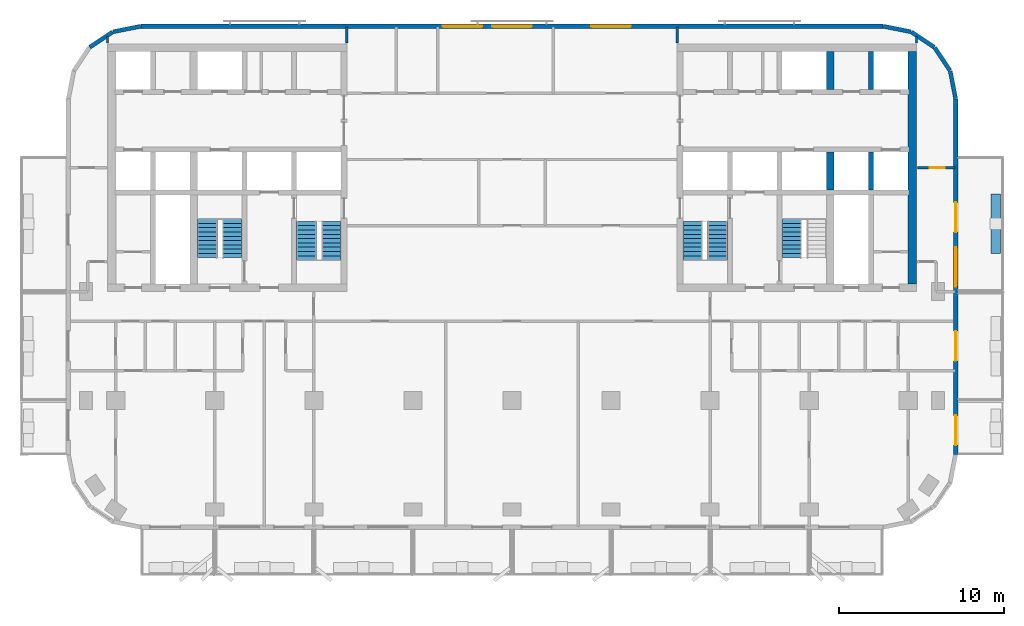
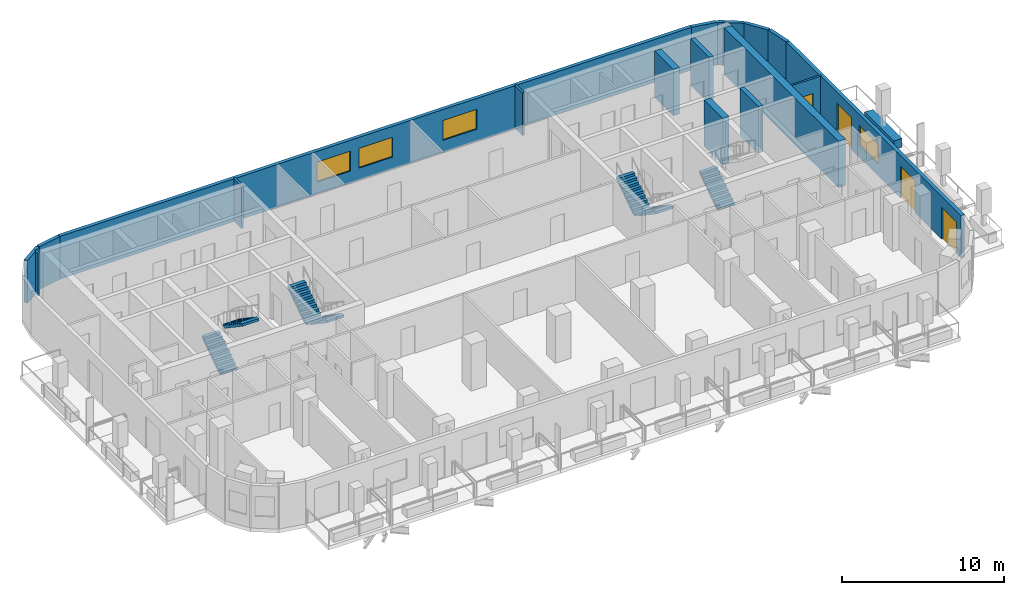
# One storey, part 7 of 11: 19 walls, 7 stair flights, 4 doors, 4 windows, 8 openings, 4 elements without a shape of their own.
"""IFC4 building model written with IfcOpenShell, lengths in metres."""

from ifc_helpers import new_model, si_unit, direction, frame, frame_2d, origin, place, context, subcontext, project, spatial, polyline, rectangle, outline, extrude, material, layer, layer_set, type_object, element, fill, aggregate, save


model = new_model("IFC4")

# Units and contexts
model_context = context("Model", 3, precision=1e-05, world=origin(), true_north=direction((0.0, 1.0)))
body_context = subcontext(model_context, "Body", "Model", "MODEL_VIEW")
ifc_project = project(units=[si_unit("LENGTHUNIT", "METRE"), si_unit("AREAUNIT", "SQUARE_METRE"), si_unit("VOLUMEUNIT", "CUBIC_METRE"), si_unit("PLANEANGLEUNIT", "RADIAN"), si_unit("MASSUNIT", "GRAM", prefix="KILO")], contexts=[model_context])

# Site, building, storey
site_placement = place(None, origin())
site = spatial("IfcSite", under=ifc_project, at=site_placement, CompositionType="ELEMENT")
building_placement = place(site_placement, origin())
building = spatial("IfcBuilding", under=site, at=building_placement, Name="Torana Hotel and Residences", CompositionType="ELEMENT")
storey_placement = place(building_placement, frame((0.0, 0.0, 183.60009765625)))
storey = spatial("IfcBuildingStorey", under=building, at=storey_placement, Name="L47", CompositionType="ELEMENT", Elevation=183.60009765625)

# Walls
ifc_material_1 = material(Name="Concrete C70/85", Category="concrete")
ifc_layer_1 = layer(ifc_material_1, 0.300048828125)
ifc_layer_set_1 = layer_set([ifc_layer_1], Name="CORE WALL 300 C70/85")
wall_type_1 = type_object("IfcWallType", Name="CORE WALL 300 C70/85", PredefinedType="SHEAR", material=ifc_layer_set_1)
for number, where, z_axis, x_axis, name in (
    (1, (21.75, -2.75, 0.0), (0.0, 0.0, 1.0), (0.0, 1.0, 0.0), "Core wall E mm-N"),
    (2, (21.75, -8.85009765625, 0.0), (0.0, 0.0, 1.0), (0.0, 1.0, 0.0), "Core wall E mm-S"),
):
    element("IfcWall", number, at=place(storey_placement, frame(where, z_axis=z_axis, x_axis=x_axis)), inside=storey, type_object=wall_type_1, Name=name, PredefinedType="SHEAR", context=body_context, shape_type="SweptSolid", body=[
        extrude(rectangle(XDim=2.300048828125, YDim=0.300048828125, at=frame_2d((1.14990234375, 0.0))), origin(), (0.0, 0.0, 1.0), 3.5),
    ])
ifc_material_2 = material(Name="Concrete C70/85", Category="concrete")
ifc_layer_2 = layer(ifc_material_2, 0.449951171875)
ifc_layer_set_2 = layer_set([ifc_layer_2], Name="CORE WALL 450 C70/85")
wall_type_2 = type_object("IfcWallType", Name="CORE WALL 450 C70/85", PredefinedType="SHEAR", material=ifc_layer_set_2)
for number, where, z_axis, x_axis, name in (
    (3, (19.27490234375, -2.75, 0.0), (0.0, 0.0, 1.0), (0.0, 1.0, 0.0), "Core wall E hm-N"),
    (4, (19.27490234375, -8.85009765625, 0.0), (0.0, 0.0, 1.0), (0.0, 1.0, 0.0), "Core wall E hm-S"),
):
    element("IfcWall", number, at=place(storey_placement, frame(where, z_axis=z_axis, x_axis=x_axis)), inside=storey, type_object=wall_type_2, Name=name, PredefinedType="SHEAR", context=body_context, shape_type="SweptSolid", body=[
        extrude(rectangle(XDim=2.300048828125, YDim=0.449951171875, at=frame_2d((1.14990234375, 0.0))), origin(), (0.0, 0.0, 1.0), 3.5),
    ])
ifc_material_3 = material(Name="Concrete C70/85", Category="concrete")
ifc_layer_3 = layer(ifc_material_3, 0.5)
ifc_layer_set_3 = layer_set([ifc_layer_3], Name="CORE WALL 500 C70/85")
wall_type_3 = type_object("IfcWallType", Name="CORE WALL 500 C70/85", PredefinedType="SHEAR", material=ifc_layer_set_3)
wall_1_placement = place(storey_placement, frame((24.25, -14.550048828125, 0.0), z_axis=(0.0, 0.0, 1.0), x_axis=(0.0, 1.0, 0.0)))
element("IfcWall", 5, at=wall_1_placement, inside=storey, type_object=wall_type_3, Name="Core wall E outer", PredefinedType="SHEAR", context=body_context, shape_type="SweptSolid", body=[
    extrude(rectangle(XDim=14.10009765625, YDim=0.5, at=frame_2d((7.050048828125, 0.0))), origin(), (0.0, 0.0, 1.0), 3.5),
])
ifc_material_4 = material(Name="Black aluminium composite panel", Category="aluminium")
ifc_layer_4 = layer(ifc_material_4, 0.00390625, Name="Cladding", Category="cladding")
ifc_material_5 = material(Name="Ventilated air cavity")
ifc_layer_5 = layer(ifc_material_5, 0.0400390625, Name="Ventilated cavity", Category="cavity")
ifc_material_6 = material(Name="Mineral wool insulation")
ifc_layer_6 = layer(ifc_material_6, 0.090087890625, Name="Insulation", Category="insulation")
ifc_material_7 = material(Name="Steel S280GD", Category="steel")
ifc_layer_7 = layer(ifc_material_7, 0.092041015625, Name="Steel stud frame", Category="structure")
ifc_material_8 = material(Name="Fire rated plasterboard")
ifc_layer_8 = layer(ifc_material_8, 0.011962890625, Name="Inner board", Category="finish")
ifc_layer_9 = layer(ifc_material_8, 0.011962890625, Name="Second board", Category="finish")
ifc_layer_set_4 = layer_set([ifc_layer_4, ifc_layer_5, ifc_layer_6, ifc_layer_7, ifc_layer_8, ifc_layer_9], Name="EW1 EXTERNAL WALL BLACK METAL CLAD 250")
wall_type_4 = type_object("IfcWallType", Name="EW1 EXTERNAL WALL BLACK METAL CLAD 250", PredefinedType="SOLIDWALL", material=ifc_layer_set_4)
wall_2_placement = place(storey_placement, frame((26.87255859375, -3.30029296875, 0.0), z_axis=(0.0, 0.0, 1.0), x_axis=(-0.194999110559, 0.980803419081, 0.0)))
element("IfcWall", 6, at=wall_2_placement, inside=storey, type_object=wall_type_4, Name="External wall L47 e0.0", PredefinedType="SOLIDWALL", context=body_context, shape_type="SweptSolid", body=[
    extrude(rectangle(XDim=1.681396484375, YDim=0.25, at=frame_2d((0.8408203125, 0.0))), origin(), (0.0, 0.0, 1.0), 3.219970703125),
])
for number, where, z_axis, x_axis, name in (
    (7, (26.52587890625, -1.60595703125, 0.0), (0.0, 0.0, 1.0), (-0.55555029066, 0.831482937015, 0.0), "External wall L47 e0.1"),
    (8, (25.5712890625, -0.1943359375, 0.0), (0.0, 0.0, 1.0), (-0.831482937015, 0.55555029066, 0.0), "External wall L47 e0.2"),
):
    element("IfcWall", number, at=place(storey_placement, frame(where, z_axis=z_axis, x_axis=x_axis)), inside=storey, type_object=wall_type_4, Name=name, PredefinedType="SOLIDWALL", context=body_context, shape_type="SweptSolid", body=[
        extrude(rectangle(XDim=1.65625, YDim=0.25, at=frame_2d((0.828125, 0.0))), origin(), (0.0, 0.0, 1.0), 3.219970703125),
    ])
for number, where, z_axis, x_axis, name in (
    (9, (24.14892578125, 0.74462890625, 0.0), (0.0, 0.0, 1.0), (-0.980803419081, 0.194999110559, 0.0), "External wall L47 e0.3"),
    (10, (-22.499755859375, 1.072509765625, 0.0), (0.0, 0.0, 1.0), (-0.980803419081, -0.194999110559, 0.0), "External wall L47 e0.5"),
):
    element("IfcWall", number, at=place(storey_placement, frame(where, z_axis=z_axis, x_axis=x_axis)), inside=storey, type_object=wall_type_4, Name=name, PredefinedType="SOLIDWALL", context=body_context, shape_type="SweptSolid", body=[
        extrude(rectangle(XDim=1.681396484375, YDim=0.25, at=frame_2d((0.8408203125, 0.0))), origin(), (0.0, 0.0, 1.0), 3.219970703125),
    ])
wall_3_placement = place(storey_placement, frame((-24.194091796875, 0.725830078125, 0.0), z_axis=(0.0, 0.0, 1.0), x_axis=(-0.831482937015, -0.55555029066, 0.0)))
element("IfcWall", 11, at=wall_3_placement, inside=storey, type_object=wall_type_4, Name="External wall L47 e0.6", PredefinedType="SOLIDWALL", context=body_context, shape_type="SweptSolid", body=[
    extrude(rectangle(XDim=1.65625, YDim=0.25, at=frame_2d((0.828125, 0.0))), origin(), (0.0, 0.0, 1.0), 3.219970703125),
])

# Wall, openings, doors, window
wall_4_placement = place(storey_placement, frame((26.875, -24.87548828125, 0.0), z_axis=(0.0, 0.0, 1.0), x_axis=(0.0, 1.0, 0.0)))
wall_4 = element("IfcWall", 12, at=wall_4_placement, inside=storey, type_object=wall_type_4, Name="External wall L47 e0.19", PredefinedType="SOLIDWALL", context=body_context, shape_type="SweptSolid", body=[
    extrude(rectangle(XDim=21.55078125, YDim=0.25, at=frame_2d((10.775390625, 0.0))), origin(), (0.0, 0.0, 1.0), 3.219970703125),
])
opening_1_placement = place(wall_4_placement, frame((0.575439453125, 0.0, 0.0)))
opening_1 = element("IfcOpeningElement", 13, at=opening_1_placement, cuts=wall_4, Name="Opening L47-E09", PredefinedType="OPENING", context=body_context, shape_type="SweptSolid", body=[
    extrude(rectangle(XDim=1.800048828125, YDim=2.39990234375, at=frame_2d((0.89990234375, 1.199951171875))), frame((0.0, 0.135009765625, 0.0), z_axis=(0.0, -1.0, 0.0), x_axis=(1.0, 0.0, 0.0)), (0.0, 0.0, 1.0), 0.27001953125),
])
opening_2_placement = place(wall_4_placement, frame((5.67529296875, 0.0, 0.0)))
opening_2 = element("IfcOpeningElement", 14, at=opening_2_placement, cuts=wall_4, Name="Opening L47-E10", PredefinedType="OPENING", context=body_context, shape_type="SweptSolid", body=[
    extrude(rectangle(XDim=1.800048828125, YDim=2.39990234375, at=frame_2d((0.89990234375, 1.199951171875))), frame((0.0, 0.135009765625, 0.0), z_axis=(0.0, -1.0, 0.0), x_axis=(1.0, 0.0, 0.0)), (0.0, 0.0, 1.0), 0.27001953125),
])
opening_3_placement = place(wall_4_placement, frame((10.17529296875, 0.0, 0.89990234375)))
opening_3 = element("IfcOpeningElement", 15, at=opening_3_placement, cuts=wall_4, Name="Opening W3", PredefinedType="OPENING", context=body_context, shape_type="SweptSolid", body=[
    extrude(rectangle(XDim=2.39990234375, YDim=1.5, at=frame_2d((1.199951171875, 0.75))), frame((0.0, 0.135009765625, 0.0), z_axis=(0.0, -1.0, 0.0), x_axis=(1.0, 0.0, 0.0)), (0.0, 0.0, 1.0), 0.27001953125),
])
opening_4_placement = place(wall_4_placement, frame((13.475341796875, 0.0, 0.0)))
opening_4 = element("IfcOpeningElement", 16, at=opening_4_placement, cuts=wall_4, Name="Opening L47-E11", PredefinedType="OPENING", context=body_context, shape_type="SweptSolid", body=[
    extrude(rectangle(XDim=1.800048828125, YDim=2.39990234375, at=frame_2d((0.89990234375, 1.199951171875))), frame((0.0, 0.135009765625, 0.0), z_axis=(0.0, -1.0, 0.0), x_axis=(1.0, 0.0, 0.0)), (0.0, 0.0, 1.0), 0.27001953125),
])
ifc_material_9 = material(Name="Dark glass in black aluminium frame", Category="aluminium")
door_type_1 = type_object("IfcDoorType", Name="DB1 BALCONY DOOR 1800x2400", OperationType="DOUBLE_DOOR_SINGLE_SWING", PredefinedType="DOOR", material=ifc_material_9)
door_1_placement = place(opening_1_placement, origin())
door_1 = element("IfcDoor", 17, at=door_1_placement, inside=storey, type_object=door_type_1, Name="Balcony door L47", OperationType="DOUBLE_DOOR_SINGLE_SWING", OverallHeight=2.39990234375, OverallWidth=1.800048828125, PredefinedType="DOOR", context=body_context, shape_type="SweptSolid", body=[
    extrude(rectangle(XDim=1.800048828125, YDim=2.39990234375, at=frame_2d((0.89990234375, 1.199951171875))), frame((0.0, 0.02490234375, 0.0), z_axis=(0.0, -1.0, 0.0), x_axis=(1.0, 0.0, 0.0)), (0.0, 0.0, 1.0), 0.050048828125),
])
fill(opening_1, door_1)
door_2_placement = place(opening_2_placement, origin())
door_2 = element("IfcDoor", 18, at=door_2_placement, inside=storey, type_object=door_type_1, Name="Balcony door L47", OperationType="DOUBLE_DOOR_SINGLE_SWING", OverallHeight=2.39990234375, OverallWidth=1.800048828125, PredefinedType="DOOR", context=body_context, shape_type="SweptSolid", body=[
    extrude(rectangle(XDim=1.800048828125, YDim=2.39990234375, at=frame_2d((0.89990234375, 1.199951171875))), frame((0.0, 0.02490234375, 0.0), z_axis=(0.0, -1.0, 0.0), x_axis=(1.0, 0.0, 0.0)), (0.0, 0.0, 1.0), 0.050048828125),
])
fill(opening_2, door_2)
door_3_placement = place(opening_4_placement, origin())
door_3 = element("IfcDoor", 19, at=door_3_placement, inside=storey, type_object=door_type_1, Name="Balcony door L47", OperationType="DOUBLE_DOOR_SINGLE_SWING", OverallHeight=2.39990234375, OverallWidth=1.800048828125, PredefinedType="DOOR", context=body_context, shape_type="SweptSolid", body=[
    extrude(rectangle(XDim=1.800048828125, YDim=2.39990234375, at=frame_2d((0.89990234375, 1.199951171875))), frame((0.0, 0.02490234375, 0.0), z_axis=(0.0, -1.0, 0.0), x_axis=(1.0, 0.0, 0.0)), (0.0, 0.0, 1.0), 0.050048828125),
])
fill(opening_4, door_3)
ifc_material_10 = material(Name="Dark glass in black aluminium frame", Category="aluminium")
window_type = type_object("IfcWindowType", Name="W3 RESIDENCE WINDOW 2400x1500", PartitioningType="SINGLE_PANEL", PredefinedType="WINDOW", material=ifc_material_10)
window_1_placement = place(opening_3_placement, origin())
window_1 = element("IfcWindow", 20, at=window_1_placement, inside=storey, type_object=window_type, Name="Window L47", OverallHeight=1.5, OverallWidth=2.39990234375, PartitioningType="SINGLE_PANEL", PredefinedType="WINDOW", context=body_context, shape_type="SweptSolid", body=[
    extrude(rectangle(XDim=2.39990234375, YDim=1.5, at=frame_2d((1.199951171875, 0.75))), frame((0.0, 0.030029296875, 0.0), z_axis=(0.0, -1.0, 0.0), x_axis=(1.0, 0.0, 0.0)), (0.0, 0.0, 1.0), 0.06005859375),
])
fill(opening_3, window_1)

# Wall, openings, windows
ifc_material_11 = material(Name="Concrete C40/50 precast", Category="concrete")
ifc_layer_10 = layer(ifc_material_11, 0.10009765625, Name="Perforated block", Category="cladding")
ifc_material_12 = material(Name="Air cavity")
ifc_layer_11 = layer(ifc_material_12, 0.030029296875, Name="Cavity", Category="cavity")
ifc_material_13 = material(Name="Concrete C40/50", Category="concrete")
ifc_layer_12 = layer(ifc_material_13, 0.10009765625, Name="Wall", Category="structure")
ifc_material_14 = material(Name="Plaster and paint")
ifc_layer_13 = layer(ifc_material_14, 0.02001953125, Name="Inner finish", Category="finish")
ifc_layer_set_5 = layer_set([ifc_layer_10, ifc_layer_11, ifc_layer_12, ifc_layer_13], Name="EW2 PERFORATED BLOCK SCREEN WALL 250")
wall_type_5 = type_object("IfcWallType", Name="EW2 PERFORATED BLOCK SCREEN WALL 250", PredefinedType="SOLIDWALL", material=ifc_layer_set_5)
wall_5_placement = place(storey_placement, frame((22.475341796875, 1.074951171875, 0.0), z_axis=(0.0, 0.0, 1.0), x_axis=(-1.0, 0.0, 0.0)))
wall_5 = element("IfcWall", 21, at=wall_5_placement, inside=storey, type_object=wall_type_5, Name="External wall L47 e0.4", PredefinedType="SOLIDWALL", context=body_context, shape_type="SweptSolid", body=[
    extrude(rectangle(XDim=44.95068359375, YDim=0.25, at=frame_2d((22.475341796875, 0.0))), origin(), (0.0, 0.0, 1.0), 3.219970703125),
])
opening_5_placement = place(wall_5_placement, frame((15.275390625, 0.0, 0.89990234375)))
opening_5 = element("IfcOpeningElement", 22, at=opening_5_placement, cuts=wall_5, Name="Opening W3", PredefinedType="OPENING", context=body_context, shape_type="SweptSolid", body=[
    extrude(rectangle(XDim=2.39990234375, YDim=1.5, at=frame_2d((1.199951171875, 0.75))), frame((0.0, 0.135009765625, 0.0), z_axis=(0.0, -1.0, 0.0), x_axis=(1.0, 0.0, 0.0)), (0.0, 0.0, 1.0), 0.27001953125),
])
opening_6_placement = place(wall_5_placement, frame((21.275390625, 0.0, 0.89990234375)))
opening_6 = element("IfcOpeningElement", 23, at=opening_6_placement, cuts=wall_5, Name="Opening W3", PredefinedType="OPENING", context=body_context, shape_type="SweptSolid", body=[
    extrude(rectangle(XDim=2.39990234375, YDim=1.5, at=frame_2d((1.199951171875, 0.75))), frame((0.0, 0.135009765625, 0.0), z_axis=(0.0, -1.0, 0.0), x_axis=(1.0, 0.0, 0.0)), (0.0, 0.0, 1.0), 0.27001953125),
])
opening_7_placement = place(wall_5_placement, frame((24.275390625, 0.0, 0.89990234375)))
opening_7 = element("IfcOpeningElement", 24, at=opening_7_placement, cuts=wall_5, Name="Opening W3", PredefinedType="OPENING", context=body_context, shape_type="SweptSolid", body=[
    extrude(rectangle(XDim=2.39990234375, YDim=1.5, at=frame_2d((1.199951171875, 0.75))), frame((0.0, 0.135009765625, 0.0), z_axis=(0.0, -1.0, 0.0), x_axis=(1.0, 0.0, 0.0)), (0.0, 0.0, 1.0), 0.27001953125),
])
window_2_placement = place(opening_5_placement, origin())
window_2 = element("IfcWindow", 25, at=window_2_placement, inside=storey, type_object=window_type, Name="Window L47", OverallHeight=1.5, OverallWidth=2.39990234375, PartitioningType="SINGLE_PANEL", PredefinedType="WINDOW", context=body_context, shape_type="SweptSolid", body=[
    extrude(rectangle(XDim=2.39990234375, YDim=1.5, at=frame_2d((1.199951171875, 0.75))), frame((0.0, 0.030029296875, 0.0), z_axis=(0.0, -1.0, 0.0), x_axis=(1.0, 0.0, 0.0)), (0.0, 0.0, 1.0), 0.06005859375),
])
fill(opening_5, window_2)
window_3_placement = place(opening_6_placement, origin())
window_3 = element("IfcWindow", 26, at=window_3_placement, inside=storey, type_object=window_type, Name="Window L47", OverallHeight=1.5, OverallWidth=2.39990234375, PartitioningType="SINGLE_PANEL", PredefinedType="WINDOW", context=body_context, shape_type="SweptSolid", body=[
    extrude(rectangle(XDim=2.39990234375, YDim=1.5, at=frame_2d((1.199951171875, 0.75))), frame((0.0, 0.030029296875, 0.0), z_axis=(0.0, -1.0, 0.0), x_axis=(1.0, 0.0, 0.0)), (0.0, 0.0, 1.0), 0.06005859375),
])
fill(opening_6, window_3)
window_4_placement = place(opening_7_placement, origin())
window_4 = element("IfcWindow", 27, at=window_4_placement, inside=storey, type_object=window_type, Name="Window L47", OverallHeight=1.5, OverallWidth=2.39990234375, PartitioningType="SINGLE_PANEL", PredefinedType="WINDOW", context=body_context, shape_type="SweptSolid", body=[
    extrude(rectangle(XDim=2.39990234375, YDim=1.5, at=frame_2d((1.199951171875, 0.75))), frame((0.0, 0.030029296875, 0.0), z_axis=(0.0, -1.0, 0.0), x_axis=(1.0, 0.0, 0.0)), (0.0, 0.0, 1.0), 0.06005859375),
])
fill(opening_7, window_4)

# Walls
ifc_material_15 = material(Name="Gypsum plasterboard")
ifc_layer_14 = layer(ifc_material_15, 0.012451171875, Name="Plasterboard", Category="finish")
ifc_layer_15 = layer(ifc_material_15, 0.012451171875, Name="Plasterboard", Category="finish")
ifc_layer_16 = layer(ifc_material_7, 0.10009765625, Name="Steel studs with mineral wool", Category="insulation")
ifc_layer_17 = layer(ifc_material_15, 0.012451171875, Name="Plasterboard", Category="finish")
ifc_layer_18 = layer(ifc_material_15, 0.012451171875, Name="Plasterboard", Category="finish")
ifc_layer_set_6 = layer_set([ifc_layer_14, ifc_layer_15, ifc_layer_16, ifc_layer_17, ifc_layer_18], Name="PARTITION 150 PLASTERBOARD")
wall_type_6 = type_object("IfcWallType", Name="PARTITION 150 PLASTERBOARD", PredefinedType="PARTITIONING", material=ifc_layer_set_6)
wall_6_placement = place(storey_placement, frame((24.5, 0.050048828125, 0.0), z_axis=(0.0, 0.0, 1.0), x_axis=(0.0, 1.0, 0.0)))
element("IfcWall", 28, at=wall_6_placement, inside=storey, type_object=wall_type_6, Name="Partition L47", PredefinedType="PARTITIONING", context=body_context, shape_type="SweptSolid", body=[
    extrude(rectangle(XDim=0.4052734375, YDim=0.14990234375, at=frame_2d((0.20263671875, 0.0))), origin(), (0.0, 0.0, 1.0), 3.219970703125),
])
wall_7_placement = place(storey_placement, frame((10.0, 0.050048828125, 0.0), z_axis=(0.0, 0.0, 1.0), x_axis=(0.0, 1.0, 0.0)))
element("IfcWall", 29, at=wall_7_placement, inside=storey, type_object=wall_type_6, Name="Partition L47", PredefinedType="PARTITIONING", context=body_context, shape_type="SweptSolid", body=[
    extrude(rectangle(XDim=0.969970703125, YDim=0.14990234375, at=frame_2d((0.48486328125, 0.0))), origin(), (0.0, 0.0, 1.0), 3.219970703125),
])
wall_8_placement = place(storey_placement, frame((-24.5, 0.050048828125, 0.0), z_axis=(0.0, 0.0, 1.0), x_axis=(0.0, 1.0, 0.0)))
element("IfcWall", 30, at=wall_8_placement, inside=storey, type_object=wall_type_6, Name="Partition L47", PredefinedType="PARTITIONING", context=body_context, shape_type="SweptSolid", body=[
    extrude(rectangle(XDim=0.4052734375, YDim=0.14990234375, at=frame_2d((0.20263671875, 0.0))), origin(), (0.0, 0.0, 1.0), 3.219970703125),
])

# Wall, opening, door
wall_9_placement = place(storey_placement, frame((24.550048828125, -7.5, 0.0), z_axis=(0.0, 0.0, 1.0), x_axis=(1.0, 0.0, 0.0)))
wall_9 = element("IfcWall", 31, at=wall_9_placement, inside=storey, type_object=wall_type_6, Name="Partition L47", PredefinedType="PARTITIONING", context=body_context, shape_type="SweptSolid", body=[
    extrude(rectangle(XDim=2.27001953125, YDim=0.14990234375, at=frame_2d((1.135009765625, 0.0))), origin(), (0.0, 0.0, 1.0), 3.219970703125),
])
opening_8_placement = place(wall_9_placement, frame((0.75, 0.0, 0.0)))
opening_8 = element("IfcOpeningElement", 32, at=opening_8_placement, cuts=wall_9, Name="Opening L47-67", PredefinedType="OPENING", context=body_context, shape_type="SweptSolid", body=[
    extrude(rectangle(XDim=0.89990234375, YDim=2.10009765625, at=frame_2d((0.449951171875, 1.050048828125))), frame((0.0, 0.0849609375, 0.0), z_axis=(0.0, -1.0, 0.0), x_axis=(1.0, 0.0, 0.0)), (0.0, 0.0, 1.0), 0.169921875),
])
ifc_material_16 = material(Name="Timber door, oiled ash", Category="wood")
door_type_2 = type_object("IfcDoorType", Name="ROOM DOOR D7 900x2100", OperationType="SINGLE_SWING_LEFT", PredefinedType="DOOR", material=ifc_material_16)
door_4_placement = place(opening_8_placement, origin())
door_4 = element("IfcDoor", 33, at=door_4_placement, inside=storey, type_object=door_type_2, Name="Door L47", OperationType="SINGLE_SWING_LEFT", OverallHeight=2.10009765625, OverallWidth=0.89990234375, PredefinedType="DOOR", context=body_context, shape_type="SweptSolid", body=[
    extrude(rectangle(XDim=0.89990234375, YDim=2.10009765625, at=frame_2d((0.449951171875, 1.050048828125))), frame((0.0, 0.02490234375, 0.0), z_axis=(0.0, -1.0, 0.0), x_axis=(1.0, 0.0, 0.0)), (0.0, 0.0, 1.0), 0.050048828125),
])
fill(opening_8, door_4)

# Walls
ifc_layer_19 = layer(ifc_material_11, 0.10009765625, Name="Planter shell", Category="structure")
ifc_material_17 = material(Name="Root resistant membrane")
ifc_layer_20 = layer(ifc_material_17, 0.00390625, Name="Waterproofing membrane", Category="membrane")
ifc_material_18 = material(Name="Drainage board with filter fleece")
ifc_layer_21 = layer(ifc_material_18, 0.02001953125, Name="Drainage board", Category="drainage")
ifc_material_19 = material(Name="Growing medium")
ifc_layer_22 = layer(ifc_material_19, 0.47607421875, Name="Planting substrate", Category="soil")
ifc_layer_set_7 = layer_set([ifc_layer_19, ifc_layer_20, ifc_layer_21, ifc_layer_22], Name="PL1 BALCONY PLANTER 600")
wall_type_7 = type_object("IfcWallType", Name="PL1 BALCONY PLANTER 600", PredefinedType="USERDEFINED", material=ifc_layer_set_7)
wall_10_placement = place(storey_placement, frame((29.300048828125, -9.10009765625, 0.0), z_axis=(0.0, 0.0, 1.0), x_axis=(0.0, -1.0, 0.0)))
element("IfcWall", 34, at=wall_10_placement, inside=storey, type_object=wall_type_7, Name="Planter 14", ObjectType="PLANTER", PredefinedType="USERDEFINED", context=body_context, shape_type="SweptSolid", body=[
    extrude(rectangle(XDim=3.599853515625, YDim=0.60009765625, at=frame_2d((1.7998046875, 0.0))), origin(), (0.0, 0.0, 1.0), 0.64990234375),
])
ifc_material_20 = material(Name="Ceramic tile on adhesive")
ifc_layer_23 = layer(ifc_material_20, 0.010009765625, Name="Wall tile", Category="finish")
ifc_material_21 = material(Name="Cement render")
ifc_layer_24 = layer(ifc_material_21, 0.010009765625, Name="Render", Category="finish")
ifc_material_22 = material(Name="Concrete blockwork", Category="masonry")
ifc_layer_25 = layer(ifc_material_22, 0.110107421875, Name="Blockwork", Category="structure")
ifc_layer_26 = layer(ifc_material_21, 0.010009765625, Name="Render", Category="finish")
ifc_layer_27 = layer(ifc_material_20, 0.010009765625, Name="Wall tile", Category="finish")
ifc_layer_set_8 = layer_set([ifc_layer_23, ifc_layer_24, ifc_layer_25, ifc_layer_26, ifc_layer_27], Name="WC PARTITION 150")
wall_type_8 = type_object("IfcWallType", Name="WC PARTITION 150", PredefinedType="PLUMBINGWALL", material=ifc_layer_set_8)
wall_11_placement = place(storey_placement, frame((-10.0, 0.050048828125, 0.0), z_axis=(0.0, 0.0, 1.0), x_axis=(0.0, 1.0, 0.0)))
element("IfcWall", 35, at=wall_11_placement, inside=storey, type_object=wall_type_8, Name="Partition L47", PredefinedType="PLUMBINGWALL", context=body_context, shape_type="SweptSolid", body=[
    extrude(rectangle(XDim=0.969970703125, YDim=0.14990234375, at=frame_2d((0.48486328125, 0.0))), origin(), (0.0, 0.0, 1.0), 3.219970703125),
])

# Stair, stair flights
ifc_material_23 = material(Name="Concrete C40/50 precast", Category="concrete")
stair_type_1 = type_object("IfcStairType", Name="STAIR ST1 HALF TURN 1200", PredefinedType="HALF_TURN_STAIR", material=ifc_material_23)
stair_1_placement = place(storey_placement, origin())
stair_1 = element("IfcStair", 36, at=stair_1_placement, inside=storey, type_object=stair_type_1, Name="Stair ST1 L47", PredefinedType="HALF_TURN_STAIR")
ifc_material_24 = material(Name="Concrete C40/50 precast", Category="concrete")
stair_flight_type = type_object("IfcStairFlightType", Name="STAIR FLIGHT 1200 PRECAST", PredefinedType="STRAIGHT", material=ifc_material_24)
stair_flight_1_placement = place(storey_placement, frame((-10.949951171875, -10.75, 0.0), z_axis=(0.0, 0.0, 1.0), x_axis=(0.0, -1.0, 0.0)))
stair_flight_1 = element("IfcStairFlight", 37, at=stair_flight_1_placement, type_object=stair_flight_type, Name="ST1 flight 1", NumberOfRisers=10, NumberOfTreads=9, PredefinedType="STRAIGHT", RiserHeight=0.175, TreadLength=0.26, context=body_context, shape_type="SweptSolid", body=[
    extrude(outline(polyline([(0.0, 0.0), (0.0, 0.175048828125), (0.260009765625, 0.175048828125), (0.260009765625, 0.35009765625), (0.52001953125, 0.35009765625), (0.52001953125, 0.52490234375), (0.780029296875, 0.52490234375), (0.780029296875, 0.699951171875), (1.0400390625, 0.699951171875), (1.0400390625, 0.875), (1.300048828125, 0.875), (1.300048828125, 1.050048828125), (1.56005859375, 1.050048828125), (1.56005859375, 1.22509765625), (1.820068359375, 1.22509765625), (1.820068359375, 1.39990234375), (2.080078125, 1.39990234375), (2.080078125, 1.574951171875), (2.340087890625, 1.574951171875), (2.340087890625, 1.75), (2.340087890625, 1.394287109375), (0.2685546875, 0.0), (0.0, 0.0)])), frame((0.0, 0.60009765625, 0.0), z_axis=(0.0, -1.0, 0.0), x_axis=(1.0, 0.0, 0.0)), (0.0, 0.0, 1.0), 1.199951171875),
])
stair_flight_2_placement = place(storey_placement, frame((-12.449951171875, -13.090087890625, 1.75), z_axis=(0.0, 0.0, 1.0), x_axis=(0.0, 1.0, 0.0)))
stair_flight_2 = element("IfcStairFlight", 38, at=stair_flight_2_placement, type_object=stair_flight_type, Name="ST1 flight 2", NumberOfRisers=10, NumberOfTreads=9, PredefinedType="STRAIGHT", RiserHeight=0.175, TreadLength=0.26, context=body_context, shape_type="SweptSolid", body=[
    extrude(outline(polyline([(0.0, 0.0), (0.0, 0.175048828125), (0.260009765625, 0.175048828125), (0.260009765625, 0.35009765625), (0.52001953125, 0.35009765625), (0.52001953125, 0.52490234375), (0.780029296875, 0.52490234375), (0.780029296875, 0.699951171875), (1.0400390625, 0.699951171875), (1.0400390625, 0.875), (1.300048828125, 0.875), (1.300048828125, 1.050048828125), (1.56005859375, 1.050048828125), (1.56005859375, 1.22509765625), (1.820068359375, 1.22509765625), (1.820068359375, 1.39990234375), (2.080078125, 1.39990234375), (2.080078125, 1.574951171875), (2.340087890625, 1.574951171875), (2.340087890625, 1.75), (2.340087890625, 1.394287109375), (0.2685546875, 0.0), (0.0, 0.0)])), frame((0.0, 0.60009765625, 0.0), z_axis=(0.0, -1.0, 0.0), x_axis=(1.0, 0.0, 0.0)), (0.0, 0.0, 1.0), 1.199951171875),
])
aggregate(stair_1, [stair_flight_1, stair_flight_2])

ifc_material_25 = material(Name="Concrete C40/50 precast", Category="concrete")
stair_type_2 = type_object("IfcStairType", Name="STAIR ST2 HALF TURN 1200", PredefinedType="HALF_TURN_STAIR", material=ifc_material_25)
stair_2_placement = place(storey_placement, origin())
stair_2 = element("IfcStair", 39, at=stair_2_placement, inside=storey, type_object=stair_type_2, Name="Stair ST2 L47", PredefinedType="HALF_TURN_STAIR")
stair_flight_3_placement = place(storey_placement, frame((-18.449951171875, -12.949951171875, 0.0), z_axis=(0.0, 0.0, 1.0), x_axis=(0.0, 1.0, 0.0)))
stair_flight_3 = element("IfcStairFlight", 40, at=stair_flight_3_placement, type_object=stair_flight_type, Name="ST2 flight 1", NumberOfRisers=10, NumberOfTreads=9, PredefinedType="STRAIGHT", RiserHeight=0.175, TreadLength=0.26, context=body_context, shape_type="SweptSolid", body=[
    extrude(outline(polyline([(0.0, 0.0), (0.0, 0.175048828125), (0.260009765625, 0.175048828125), (0.260009765625, 0.35009765625), (0.52001953125, 0.35009765625), (0.52001953125, 0.52490234375), (0.780029296875, 0.52490234375), (0.780029296875, 0.699951171875), (1.0400390625, 0.699951171875), (1.0400390625, 0.875), (1.300048828125, 0.875), (1.300048828125, 1.050048828125), (1.56005859375, 1.050048828125), (1.56005859375, 1.22509765625), (1.820068359375, 1.22509765625), (1.820068359375, 1.39990234375), (2.080078125, 1.39990234375), (2.080078125, 1.574951171875), (2.340087890625, 1.574951171875), (2.340087890625, 1.75), (2.340087890625, 1.394287109375), (0.2685546875, 0.0), (0.0, 0.0)])), frame((0.0, 0.60009765625, 0.0), z_axis=(0.0, -1.0, 0.0), x_axis=(1.0, 0.0, 0.0)), (0.0, 0.0, 1.0), 1.199951171875),
])
stair_flight_4_placement = place(storey_placement, frame((-16.949951171875, -10.610107421875, 1.75), z_axis=(0.0, 0.0, 1.0), x_axis=(0.0, -1.0, 0.0)))
stair_flight_4 = element("IfcStairFlight", 41, at=stair_flight_4_placement, type_object=stair_flight_type, Name="ST2 flight 2", NumberOfRisers=10, NumberOfTreads=9, PredefinedType="STRAIGHT", RiserHeight=0.175, TreadLength=0.26, context=body_context, shape_type="SweptSolid", body=[
    extrude(outline(polyline([(0.0, 0.0), (0.0, 0.175048828125), (0.260009765625, 0.175048828125), (0.260009765625, 0.35009765625), (0.52001953125, 0.35009765625), (0.52001953125, 0.52490234375), (0.780029296875, 0.52490234375), (0.780029296875, 0.699951171875), (1.0400390625, 0.699951171875), (1.0400390625, 0.875), (1.300048828125, 0.875), (1.300048828125, 1.050048828125), (1.56005859375, 1.050048828125), (1.56005859375, 1.22509765625), (1.820068359375, 1.22509765625), (1.820068359375, 1.39990234375), (2.080078125, 1.39990234375), (2.080078125, 1.574951171875), (2.340087890625, 1.574951171875), (2.340087890625, 1.75), (2.340087890625, 1.394287109375), (0.2685546875, 0.0), (0.0, 0.0)])), frame((0.0, 0.60009765625, 0.0), z_axis=(0.0, -1.0, 0.0), x_axis=(1.0, 0.0, 0.0)), (0.0, 0.0, 1.0), 1.199951171875),
])
aggregate(stair_2, [stair_flight_3, stair_flight_4])

ifc_material_26 = material(Name="Concrete C40/50 precast", Category="concrete")
stair_type_3 = type_object("IfcStairType", Name="STAIR ST3 HALF TURN 1200", PredefinedType="HALF_TURN_STAIR", material=ifc_material_26)
stair_3_placement = place(storey_placement, origin())
stair_3 = element("IfcStair", 42, at=stair_3_placement, inside=storey, type_object=stair_type_3, Name="Stair ST3 L47", PredefinedType="HALF_TURN_STAIR")
stair_flight_5_placement = place(storey_placement, frame((12.449951171875, -10.75, 0.0), z_axis=(0.0, 0.0, 1.0), x_axis=(0.0, -1.0, 0.0)))
stair_flight_5 = element("IfcStairFlight", 43, at=stair_flight_5_placement, type_object=stair_flight_type, Name="ST3 flight 1", NumberOfRisers=10, NumberOfTreads=9, PredefinedType="STRAIGHT", RiserHeight=0.175, TreadLength=0.26, context=body_context, shape_type="SweptSolid", body=[
    extrude(outline(polyline([(0.0, 0.0), (0.0, 0.175048828125), (0.260009765625, 0.175048828125), (0.260009765625, 0.35009765625), (0.52001953125, 0.35009765625), (0.52001953125, 0.52490234375), (0.780029296875, 0.52490234375), (0.780029296875, 0.699951171875), (1.0400390625, 0.699951171875), (1.0400390625, 0.875), (1.300048828125, 0.875), (1.300048828125, 1.050048828125), (1.56005859375, 1.050048828125), (1.56005859375, 1.22509765625), (1.820068359375, 1.22509765625), (1.820068359375, 1.39990234375), (2.080078125, 1.39990234375), (2.080078125, 1.574951171875), (2.340087890625, 1.574951171875), (2.340087890625, 1.75), (2.340087890625, 1.394287109375), (0.2685546875, 0.0), (0.0, 0.0)])), frame((0.0, 0.60009765625, 0.0), z_axis=(0.0, -1.0, 0.0), x_axis=(1.0, 0.0, 0.0)), (0.0, 0.0, 1.0), 1.199951171875),
])
stair_flight_6_placement = place(storey_placement, frame((10.949951171875, -13.090087890625, 1.75), z_axis=(0.0, 0.0, 1.0), x_axis=(0.0, 1.0, 0.0)))
stair_flight_6 = element("IfcStairFlight", 44, at=stair_flight_6_placement, type_object=stair_flight_type, Name="ST3 flight 2", NumberOfRisers=10, NumberOfTreads=9, PredefinedType="STRAIGHT", RiserHeight=0.175, TreadLength=0.26, context=body_context, shape_type="SweptSolid", body=[
    extrude(outline(polyline([(0.0, 0.0), (0.0, 0.175048828125), (0.260009765625, 0.175048828125), (0.260009765625, 0.35009765625), (0.52001953125, 0.35009765625), (0.52001953125, 0.52490234375), (0.780029296875, 0.52490234375), (0.780029296875, 0.699951171875), (1.0400390625, 0.699951171875), (1.0400390625, 0.875), (1.300048828125, 0.875), (1.300048828125, 1.050048828125), (1.56005859375, 1.050048828125), (1.56005859375, 1.22509765625), (1.820068359375, 1.22509765625), (1.820068359375, 1.39990234375), (2.080078125, 1.39990234375), (2.080078125, 1.574951171875), (2.340087890625, 1.574951171875), (2.340087890625, 1.75), (2.340087890625, 1.394287109375), (0.2685546875, 0.0), (0.0, 0.0)])), frame((0.0, 0.60009765625, 0.0), z_axis=(0.0, -1.0, 0.0), x_axis=(1.0, 0.0, 0.0)), (0.0, 0.0, 1.0), 1.199951171875),
])
aggregate(stair_3, [stair_flight_5, stair_flight_6])

# Stair, stair flight
ifc_material_27 = material(Name="Concrete C40/50 precast", Category="concrete")
stair_type_4 = type_object("IfcStairType", Name="STAIR ST4 HALF TURN 1200", PredefinedType="HALF_TURN_STAIR", material=ifc_material_27)
stair_4_placement = place(storey_placement, origin())
stair_4 = element("IfcStair", 45, at=stair_4_placement, inside=storey, type_object=stair_type_4, Name="Stair ST4 L47", PredefinedType="HALF_TURN_STAIR")
stair_flight_7_placement = place(storey_placement, frame((16.949951171875, -12.949951171875, 0.0), z_axis=(0.0, 0.0, 1.0), x_axis=(0.0, 1.0, 0.0)))
stair_flight_7 = element("IfcStairFlight", 46, at=stair_flight_7_placement, type_object=stair_flight_type, Name="ST4 flight 1", NumberOfRisers=10, NumberOfTreads=9, PredefinedType="STRAIGHT", RiserHeight=0.175, TreadLength=0.26, context=body_context, shape_type="SweptSolid", body=[
    extrude(outline(polyline([(0.0, 0.0), (0.0, 0.175048828125), (0.260009765625, 0.175048828125), (0.260009765625, 0.35009765625), (0.52001953125, 0.35009765625), (0.52001953125, 0.52490234375), (0.780029296875, 0.52490234375), (0.780029296875, 0.699951171875), (1.0400390625, 0.699951171875), (1.0400390625, 0.875), (1.300048828125, 0.875), (1.300048828125, 1.050048828125), (1.56005859375, 1.050048828125), (1.56005859375, 1.22509765625), (1.820068359375, 1.22509765625), (1.820068359375, 1.39990234375), (2.080078125, 1.39990234375), (2.080078125, 1.574951171875), (2.340087890625, 1.574951171875), (2.340087890625, 1.75), (2.340087890625, 1.394287109375), (0.2685546875, 0.0), (0.0, 0.0)])), frame((0.0, 0.60009765625, 0.0), z_axis=(0.0, -1.0, 0.0), x_axis=(1.0, 0.0, 0.0)), (0.0, 0.0, 1.0), 1.199951171875),
])
aggregate(stair_4, [stair_flight_7])

save(model, "model.ifc")
